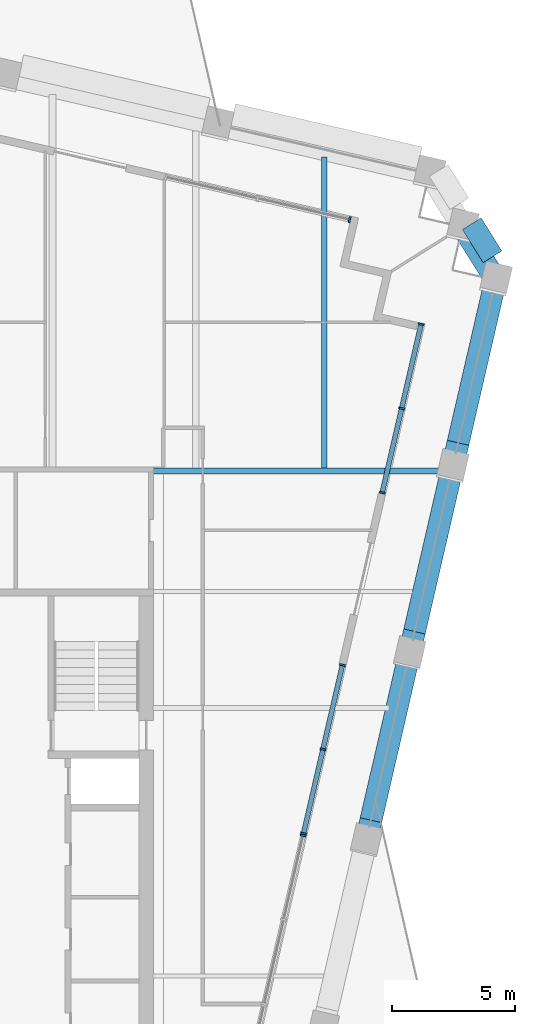
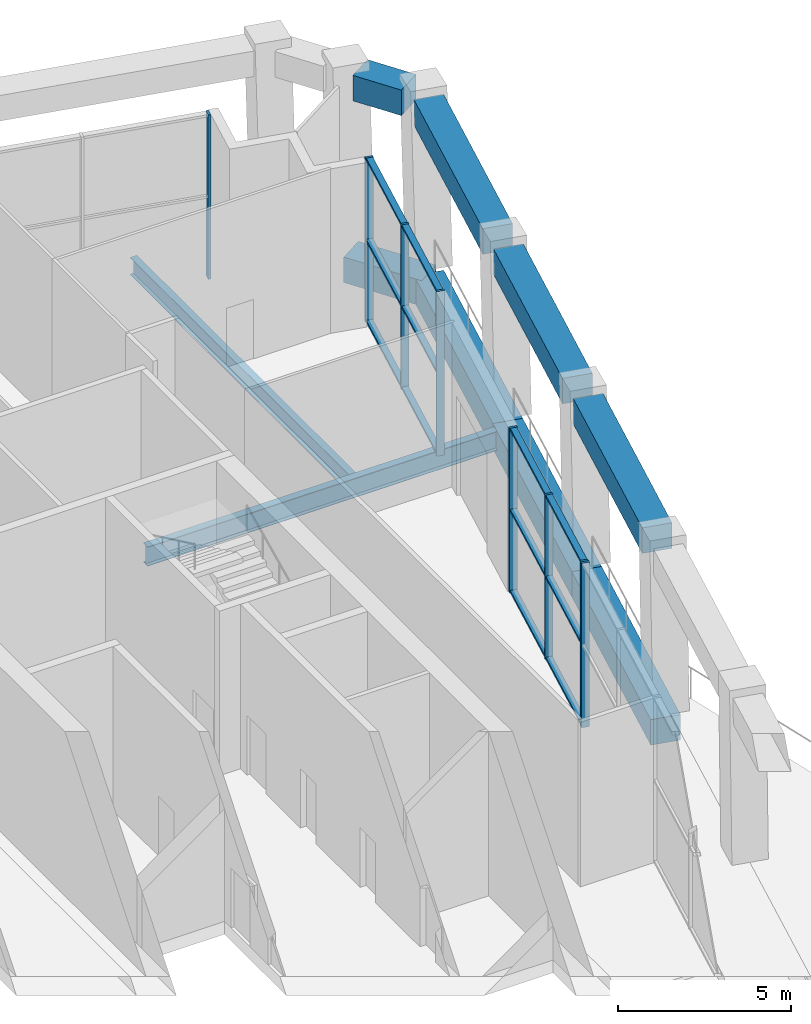
# One storey, part 7 of 21: 20 members, 10 beams, 4 elements without a shape of their own.
"""IFC4 building model written with IfcOpenShell, lengths in metres."""

from ifc_helpers import new_model, si_unit, direction, frame, origin, origin_2d, place, context, subcontext, project, spatial, rectangle, i_section, extrude, material, material_profile, profile_set, type_object, element, aggregate, save


model = new_model("IFC4")

# Units and contexts
model_context = context("Model", 3, precision=1e-05, world=origin(), true_north=direction((0.0, 1.0)))
body_context = subcontext(model_context, "Body", "Model", "MODEL_VIEW")
ifc_project = project(units=[si_unit("LENGTHUNIT", "METRE"), si_unit("AREAUNIT", "SQUARE_METRE"), si_unit("VOLUMEUNIT", "CUBIC_METRE"), si_unit("PLANEANGLEUNIT", "RADIAN"), si_unit("MASSUNIT", "GRAM", prefix="KILO")], contexts=[model_context])

# Site, building, storey
site_placement = place(None, origin())
site = spatial("IfcSite", under=ifc_project, at=site_placement, CompositionType="ELEMENT")
building_placement = place(site_placement, origin())
building = spatial("IfcBuilding", under=site, at=building_placement, Name="Ogive Exchange Tower", CompositionType="ELEMENT")
storey_placement = place(building_placement, frame((0.0, 0.0, 237.0)))
storey = spatial("IfcBuildingStorey", under=building, at=storey_placement, Name="L51", CompositionType="ELEMENT", Elevation=237.0)

# Beams
ifc_material_1 = material(Name="Steel ASTM A992 Gr50", Category="steel")
ifc_material_profile_1 = material_profile(ifc_material_1, i_section(OverallWidth=0.22802734375, OverallDepth=0.60205078125, WebThickness=0.010498046875, FlangeThickness=0.014892578125, at=origin_2d()), Name="W610x101")
ifc_profile_set_1 = profile_set([ifc_material_profile_1], Name="Steel ASTM A992 Gr50")
beam_type_1 = type_object("IfcBeamType", Name="Floor beam W610x101", PredefinedType="JOIST", material=ifc_profile_set_1)
beam_1_placement = place(storey_placement, frame((28.548828125, 30.672119140625, -0.7509765625), z_axis=(0.0, 1.0, 0.0), x_axis=(-1.0, 0.0, 0.0)))
element("IfcBeam", 1, at=beam_1_placement, inside=storey, type_object=beam_type_1, Name="Floor beam", PredefinedType="JOIST", context=body_context, shape_type="SweptSolid", body=[
    extrude(i_section(OverallWidth=0.22802734375, OverallDepth=0.60205078125, WebThickness=0.010498046875, FlangeThickness=0.014892578125, at=origin_2d()), origin(), (0.0, 0.0, 1.0), 12.6376953125),
])
ifc_material_profile_2 = material_profile(ifc_material_1, i_section(OverallWidth=0.25390625, OverallDepth=0.677978515625, WebThickness=0.01171875, FlangeThickness=0.016357421875, at=origin_2d()), Name="W690x125")
ifc_profile_set_2 = profile_set([ifc_material_profile_2], Name="Steel ASTM A992 Gr50")
beam_type_2 = type_object("IfcBeamType", Name="Girder W690x125", PredefinedType="BEAM", material=ifc_profile_set_2)
beam_2_placement = place(storey_placement, frame((21.580078125, 30.544921875, -0.7890625), z_axis=(1.0, 0.0, 0.0), x_axis=(0.0, 1.0, 0.0)))
element("IfcBeam", 2, at=beam_2_placement, inside=storey, type_object=beam_type_2, Name="Header girder", PredefinedType="BEAM", context=body_context, shape_type="SweptSolid", body=[
    extrude(i_section(OverallWidth=0.25390625, OverallDepth=0.677978515625, WebThickness=0.01171875, FlangeThickness=0.016357421875, at=origin_2d()), origin(), (0.0, 0.0, 1.0), 11.681884765625),
])
ifc_material_2 = material(Name="Precast concrete C70/85 (limestone faced)", Category="masonry")
ifc_material_profile_3 = material_profile(ifc_material_2, rectangle(XDim=0.89990234375, YDim=0.89990234375, at=origin_2d()), Name="900 x 900")
ifc_profile_set_3 = profile_set([ifc_material_profile_3], Name="Precast concrete C70/85 (limestone faced)")
beam_type_3 = type_object("IfcBeamType", Name="Precast spandrel 900 x 900 C70/85", PredefinedType="SPANDREL", material=ifc_profile_set_3)
beam_3_placement = place(storey_placement, frame((30.44384765625, 16.337890625, 5.300048828125), z_axis=(0.224945807101, 0.974371276192, 0.0), x_axis=(-0.974371276192, 0.224945807101, 0.0)))
element("IfcBeam", 3, at=beam_3_placement, inside=storey, type_object=beam_type_3, Name="Spandrel 13", PredefinedType="SPANDREL", context=body_context, shape_type="SweptSolid", body=[
    extrude(rectangle(XDim=0.89990234375, YDim=0.89990234375, at=origin_2d()), origin(), (0.0, 0.0, 1.0), 6.818115234375),
])
for number, where, z_axis, x_axis, name in (
    (4, (32.216064453125, 24.013916015625, 5.300048828125), (0.22495365579, 0.97436946419, 0.0), (-0.97436946419, 0.22495365579, 0.0), "Spandrel 14"),
    (5, (33.98828125, 31.68994140625, 5.300048828125), (0.22495365579, 0.97436946419, 0.0), (-0.97436946419, 0.22495365579, 0.0), "Spandrel 15"),
):
    element("IfcBeam", number, at=place(storey_placement, frame(where, z_axis=z_axis, x_axis=x_axis)), inside=storey, type_object=beam_type_3, Name=name, PredefinedType="SPANDREL", context=body_context, shape_type="SweptSolid", body=[
        extrude(rectangle(XDim=0.89990234375, YDim=0.89990234375, at=origin_2d()), origin(), (0.0, 0.0, 1.0), 6.81787109375),
    ])
beam_4_placement = place(storey_placement, frame((35.387939453125, 39.254638671875, 5.300048828125), z_axis=(-0.529902320601, 0.848058683477, 0.0), x_axis=(-0.848058683477, -0.529902320601, 0.0)))
element("IfcBeam", 6, at=beam_4_placement, inside=storey, type_object=beam_type_3, Name="Spandrel 16", PredefinedType="SPANDREL", context=body_context, shape_type="SweptSolid", body=[
    extrude(rectangle(XDim=0.89990234375, YDim=0.89990234375, at=origin_2d()), origin(), (0.0, 0.0, 1.0), 1.590087890625),
])
ifc_material_profile_4 = material_profile(ifc_material_2, rectangle(XDim=0.89990234375, YDim=0.89990234375, at=origin_2d()), Name="900 x 900")
ifc_profile_set_4 = profile_set([ifc_material_profile_4], Name="Precast concrete C70/85 (limestone faced)")
beam_type_4 = type_object("IfcBeamType", Name="Precast transfer girder 900 x 900 C70/85", PredefinedType="BEAM", material=ifc_profile_set_4)
for number, where, z_axis, x_axis, name in (
    (7, (30.254638671875, 15.517822265625, -0.89990234375), (0.22495322987, 0.974369562523, 0.0), (-0.974369562523, 0.22495322987, 0.0), "Transfer girder 13"),
    (8, (32.00927734375, 23.117919921875, -0.89990234375), (0.22495322987, 0.974369562523, 0.0), (-0.974369562523, 0.22495322987, 0.0), "Transfer girder 14"),
    (9, (33.763916015625, 30.718017578125, -0.89990234375), (0.224923513443, 0.974376422693, 0.0), (-0.974376422693, 0.224923513443, 0.0), "Transfer girder 15"),
):
    element("IfcBeam", number, at=place(storey_placement, frame(where, z_axis=z_axis, x_axis=x_axis)), inside=storey, type_object=beam_type_4, Name=name, PredefinedType="BEAM", context=body_context, shape_type="SweptSolid", body=[
        extrude(rectangle(XDim=0.89990234375, YDim=0.89990234375, at=origin_2d()), origin(), (0.0, 0.0, 1.0), 7.800048828125),
    ])
beam_5_placement = place(storey_placement, frame((35.518310546875, 38.318115234375, -0.89990234375), z_axis=(-0.529912724405, 0.848052182659, 0.0), x_axis=(-0.848052182659, -0.529912724405, 0.0)))
element("IfcBeam", 10, at=beam_5_placement, inside=storey, type_object=beam_type_4, Name="Transfer girder 16", PredefinedType="BEAM", context=body_context, shape_type="SweptSolid", body=[
    extrude(rectangle(XDim=0.89990234375, YDim=0.89990234375, at=origin_2d()), origin(), (0.0, 0.0, 1.0), 2.54541015625),
])

# Curtain wall, member
ifc_material_3 = material(Name="Anodised aluminium and clear glass", Category="aluminium")
curtain_wall_type = type_object("IfcCurtainWallType", Name="Winter garden glazing", PredefinedType="NOTDEFINED", material=ifc_material_3)
curtain_wall_1_placement = place(storey_placement, origin())
curtain_wall_1 = element("IfcCurtainWall", 11, at=curtain_wall_1_placement, inside=storey, type_object=curtain_wall_type, Name="Winter garden glazing run G10", PredefinedType="NOTDEFINED")
ifc_material_4 = material(Name="Anodised aluminium", Category="aluminium")
ifc_material_profile_5 = material_profile(ifc_material_4, rectangle(XDim=0.239990234375, YDim=0.080078125, at=origin_2d()), Name="AL 80x240")
ifc_profile_set_5 = profile_set([ifc_material_profile_5], Name="Anodised aluminium")
member_type_1 = type_object("IfcMemberType", Name="Winter garden glazing mullion 80 x 240", PredefinedType="MULLION", material=ifc_profile_set_5)
member_1_placement = place(storey_placement, frame((27.683837890625, 15.71826171875, 0.0), z_axis=(0.0, 0.0, 1.0), x_axis=(-0.974368684938, 0.224957031035, 0.0)))
member_1 = element("IfcMember", 12, at=member_1_placement, type_object=member_type_1, Name="G10 mullion 3", PredefinedType="MULLION", context=body_context, shape_type="SweptSolid", body=[
    extrude(rectangle(XDim=0.239990234375, YDim=0.080078125, at=origin_2d()), origin(), (0.0, 0.0, 1.0), 5.800048828125),
])
aggregate(curtain_wall_1, [member_1])

# Curtain wall, members
curtain_wall_2_placement = place(storey_placement, origin())
curtain_wall_2 = element("IfcCurtainWall", 13, at=curtain_wall_2_placement, inside=storey, type_object=curtain_wall_type, Name="Winter garden glazing run G11", PredefinedType="NOTDEFINED")
member_2_placement = place(storey_placement, frame((27.701904296875, 15.79638671875, 0.0), z_axis=(0.0, 0.0, 1.0), x_axis=(-0.974369396254, 0.224953950051, 0.0)))
member_2 = element("IfcMember", 14, at=member_2_placement, type_object=member_type_1, Name="G11 mullion 1", PredefinedType="MULLION", context=body_context, shape_type="SweptSolid", body=[
    extrude(rectangle(XDim=0.239990234375, YDim=0.080078125, at=origin_2d()), origin(), (0.0, 0.0, 1.0), 5.800048828125),
])
member_3_placement = place(storey_placement, frame((28.492919921875, 19.223388671875, 0.0), z_axis=(0.0, 0.0, 1.0), x_axis=(-0.974369396254, 0.224953950051, 0.0)))
member_3 = element("IfcMember", 15, at=member_3_placement, type_object=member_type_1, Name="G11 mullion 2", PredefinedType="MULLION", context=body_context, shape_type="SweptSolid", body=[
    extrude(rectangle(XDim=0.239990234375, YDim=0.080078125, at=origin_2d()), origin(), (0.0, 0.0, 1.0), 5.800048828125),
])
member_4_placement = place(storey_placement, frame((29.2841796875, 22.650390625, 0.0), z_axis=(0.0, 0.0, 1.0), x_axis=(-0.974369396254, 0.224953950051, 0.0)))
member_4 = element("IfcMember", 16, at=member_4_placement, type_object=member_type_1, Name="G11 mullion 3", PredefinedType="MULLION", context=body_context, shape_type="SweptSolid", body=[
    extrude(rectangle(XDim=0.239990234375, YDim=0.080078125, at=origin_2d()), origin(), (0.0, 0.0, 1.0), 5.800048828125),
])

curtain_wall_3_placement = place(storey_placement, origin())
curtain_wall_3 = element("IfcCurtainWall", 17, at=curtain_wall_3_placement, inside=storey, type_object=curtain_wall_type, Name="Winter garden glazing run G13", PredefinedType="NOTDEFINED")
member_5_placement = place(storey_placement, frame((30.902587890625, 29.66015625, 0.0), z_axis=(0.0, 0.0, 1.0), x_axis=(-0.974369396254, 0.224953950051, 0.0)))
member_5 = element("IfcMember", 18, at=member_5_placement, type_object=member_type_1, Name="G13 mullion 1", PredefinedType="MULLION", context=body_context, shape_type="SweptSolid", body=[
    extrude(rectangle(XDim=0.239990234375, YDim=0.080078125, at=origin_2d()), origin(), (0.0, 0.0, 1.0), 5.800048828125),
])
member_6_placement = place(storey_placement, frame((31.693603515625, 33.087158203125, 0.0), z_axis=(0.0, 0.0, 1.0), x_axis=(-0.974369396254, 0.224953950051, 0.0)))
member_6 = element("IfcMember", 19, at=member_6_placement, type_object=member_type_1, Name="G13 mullion 2", PredefinedType="MULLION", context=body_context, shape_type="SweptSolid", body=[
    extrude(rectangle(XDim=0.239990234375, YDim=0.080078125, at=origin_2d()), origin(), (0.0, 0.0, 1.0), 5.800048828125),
])
member_7_placement = place(storey_placement, frame((32.48486328125, 36.51416015625, 0.0), z_axis=(0.0, 0.0, 1.0), x_axis=(-0.974369396254, 0.224953950051, 0.0)))
member_7 = element("IfcMember", 20, at=member_7_placement, type_object=member_type_1, Name="G13 mullion 3", PredefinedType="MULLION", context=body_context, shape_type="SweptSolid", body=[
    extrude(rectangle(XDim=0.239990234375, YDim=0.080078125, at=origin_2d()), origin(), (0.0, 0.0, 1.0), 5.800048828125),
])

# Curtain wall, member
curtain_wall_4_placement = place(storey_placement, origin())
curtain_wall_4 = element("IfcCurtainWall", 21, at=curtain_wall_4_placement, inside=storey, type_object=curtain_wall_type, Name="Winter garden glazing run G14", PredefinedType="NOTDEFINED")
member_8_placement = place(storey_placement, frame((29.5771484375, 40.767333984375, 0.0), z_axis=(0.0, 0.0, 1.0), x_axis=(-0.224953742238, -0.974369444232, 0.0)))
member_8 = element("IfcMember", 22, at=member_8_placement, type_object=member_type_1, Name="G14 mullion 1", PredefinedType="MULLION", context=body_context, shape_type="SweptSolid", body=[
    extrude(rectangle(XDim=0.239990234375, YDim=0.080078125, at=origin_2d()), origin(), (0.0, 0.0, 1.0), 5.800048828125),
])
aggregate(curtain_wall_4, [member_8])

# Member
ifc_material_profile_6 = material_profile(ifc_material_4, rectangle(XDim=0.199951171875, YDim=0.080078125, at=origin_2d()), Name="AL 80x200")
ifc_profile_set_6 = profile_set([ifc_material_profile_6], Name="Anodised aluminium")
member_type_2 = type_object("IfcMemberType", Name="Winter garden glazing transom 80 x 200", PredefinedType="USERDEFINED", material=ifc_profile_set_6)
member_9_placement = place(storey_placement, frame((27.710693359375, 15.835205078125, 0.0400390625), z_axis=(0.224947693018, 0.974370840802, 0.0), x_axis=(-0.974370840802, 0.224947693018, 0.0)))
member_9 = element("IfcMember", 23, at=member_9_placement, type_object=member_type_2, Name="G11 transom 1.1", ObjectType="TRANSOM", PredefinedType="USERDEFINED", context=body_context, shape_type="SweptSolid", body=[
    extrude(rectangle(XDim=0.199951171875, YDim=0.080078125, at=origin_2d()), origin(), (0.0, 0.0, 1.0), 3.437255859375),
])

member_10_placement = place(storey_placement, frame((27.710693359375, 15.835205078125, 2.89990234375), z_axis=(0.224947693018, 0.974370840802, 0.0), x_axis=(-0.974370840802, 0.224947693018, 0.0)))
member_10 = element("IfcMember", 24, at=member_10_placement, type_object=member_type_2, Name="G11 transom 1.2", ObjectType="TRANSOM", PredefinedType="USERDEFINED", context=body_context, shape_type="SweptSolid", body=[
    extrude(rectangle(XDim=0.199951171875, YDim=0.080078125, at=origin_2d()), origin(), (0.0, 0.0, 1.0), 3.437255859375),
])

member_11_placement = place(storey_placement, frame((27.710693359375, 15.835205078125, 5.760009765625), z_axis=(0.224947693018, 0.974370840802, 0.0), x_axis=(-0.974370840802, 0.224947693018, 0.0)))
member_11 = element("IfcMember", 25, at=member_11_placement, type_object=member_type_2, Name="G11 transom 1.3", ObjectType="TRANSOM", PredefinedType="USERDEFINED", context=body_context, shape_type="SweptSolid", body=[
    extrude(rectangle(XDim=0.199951171875, YDim=0.080078125, at=origin_2d()), origin(), (0.0, 0.0, 1.0), 3.437255859375),
])

member_12_placement = place(storey_placement, frame((28.501953125, 19.26220703125, 0.0400390625), z_axis=(0.224947693018, 0.974370840802, 0.0), x_axis=(-0.974370840802, 0.224947693018, 0.0)))
member_12 = element("IfcMember", 26, at=member_12_placement, type_object=member_type_2, Name="G11 transom 2.1", ObjectType="TRANSOM", PredefinedType="USERDEFINED", context=body_context, shape_type="SweptSolid", body=[
    extrude(rectangle(XDim=0.199951171875, YDim=0.080078125, at=origin_2d()), origin(), (0.0, 0.0, 1.0), 3.437255859375),
])

member_13_placement = place(storey_placement, frame((28.501953125, 19.26220703125, 2.89990234375), z_axis=(0.224947693018, 0.974370840802, 0.0), x_axis=(-0.974370840802, 0.224947693018, 0.0)))
member_13 = element("IfcMember", 27, at=member_13_placement, type_object=member_type_2, Name="G11 transom 2.2", ObjectType="TRANSOM", PredefinedType="USERDEFINED", context=body_context, shape_type="SweptSolid", body=[
    extrude(rectangle(XDim=0.199951171875, YDim=0.080078125, at=origin_2d()), origin(), (0.0, 0.0, 1.0), 3.437255859375),
])

member_14_placement = place(storey_placement, frame((28.501953125, 19.26220703125, 5.760009765625), z_axis=(0.224947693018, 0.974370840802, 0.0), x_axis=(-0.974370840802, 0.224947693018, 0.0)))
member_14 = element("IfcMember", 28, at=member_14_placement, type_object=member_type_2, Name="G11 transom 2.3", ObjectType="TRANSOM", PredefinedType="USERDEFINED", context=body_context, shape_type="SweptSolid", body=[
    extrude(rectangle(XDim=0.199951171875, YDim=0.080078125, at=origin_2d()), origin(), (0.0, 0.0, 1.0), 3.437255859375),
])

aggregate(curtain_wall_2, [member_2, member_3, member_4, member_9, member_10, member_11, member_12, member_13, member_14])

member_15_placement = place(storey_placement, frame((30.911376953125, 29.69921875, 0.0400390625), z_axis=(0.225015125886, 0.974355270485, 0.0), x_axis=(-0.974355270485, 0.225015125886, 0.0)))
member_15 = element("IfcMember", 29, at=member_15_placement, type_object=member_type_2, Name="G13 transom 1.1", ObjectType="TRANSOM", PredefinedType="USERDEFINED", context=body_context, shape_type="SweptSolid", body=[
    extrude(rectangle(XDim=0.199951171875, YDim=0.080078125, at=origin_2d()), origin(), (0.0, 0.0, 1.0), 3.437255859375),
])

member_16_placement = place(storey_placement, frame((30.911376953125, 29.69921875, 2.89990234375), z_axis=(0.225015125886, 0.974355270485, 0.0), x_axis=(-0.974355270485, 0.225015125886, 0.0)))
member_16 = element("IfcMember", 30, at=member_16_placement, type_object=member_type_2, Name="G13 transom 1.2", ObjectType="TRANSOM", PredefinedType="USERDEFINED", context=body_context, shape_type="SweptSolid", body=[
    extrude(rectangle(XDim=0.199951171875, YDim=0.080078125, at=origin_2d()), origin(), (0.0, 0.0, 1.0), 3.437255859375),
])

member_17_placement = place(storey_placement, frame((30.911376953125, 29.69921875, 5.760009765625), z_axis=(0.225015125886, 0.974355270485, 0.0), x_axis=(-0.974355270485, 0.225015125886, 0.0)))
member_17 = element("IfcMember", 31, at=member_17_placement, type_object=member_type_2, Name="G13 transom 1.3", ObjectType="TRANSOM", PredefinedType="USERDEFINED", context=body_context, shape_type="SweptSolid", body=[
    extrude(rectangle(XDim=0.199951171875, YDim=0.080078125, at=origin_2d()), origin(), (0.0, 0.0, 1.0), 3.437255859375),
])

member_18_placement = place(storey_placement, frame((31.70263671875, 33.126220703125, 0.0400390625), z_axis=(0.224947693018, 0.974370840802, 0.0), x_axis=(-0.974370840802, 0.224947693018, 0.0)))
member_18 = element("IfcMember", 32, at=member_18_placement, type_object=member_type_2, Name="G13 transom 2.1", ObjectType="TRANSOM", PredefinedType="USERDEFINED", context=body_context, shape_type="SweptSolid", body=[
    extrude(rectangle(XDim=0.199951171875, YDim=0.080078125, at=origin_2d()), origin(), (0.0, 0.0, 1.0), 3.437255859375),
])

member_19_placement = place(storey_placement, frame((31.70263671875, 33.126220703125, 2.89990234375), z_axis=(0.224947693018, 0.974370840802, 0.0), x_axis=(-0.974370840802, 0.224947693018, 0.0)))
member_19 = element("IfcMember", 33, at=member_19_placement, type_object=member_type_2, Name="G13 transom 2.2", ObjectType="TRANSOM", PredefinedType="USERDEFINED", context=body_context, shape_type="SweptSolid", body=[
    extrude(rectangle(XDim=0.199951171875, YDim=0.080078125, at=origin_2d()), origin(), (0.0, 0.0, 1.0), 3.437255859375),
])

member_20_placement = place(storey_placement, frame((31.70263671875, 33.126220703125, 5.760009765625), z_axis=(0.224947693018, 0.974370840802, 0.0), x_axis=(-0.974370840802, 0.224947693018, 0.0)))
member_20 = element("IfcMember", 34, at=member_20_placement, type_object=member_type_2, Name="G13 transom 2.3", ObjectType="TRANSOM", PredefinedType="USERDEFINED", context=body_context, shape_type="SweptSolid", body=[
    extrude(rectangle(XDim=0.199951171875, YDim=0.080078125, at=origin_2d()), origin(), (0.0, 0.0, 1.0), 3.437255859375),
])

aggregate(curtain_wall_3, [member_5, member_6, member_7, member_15, member_16, member_17, member_18, member_19, member_20])

save(model, "model.ifc")
